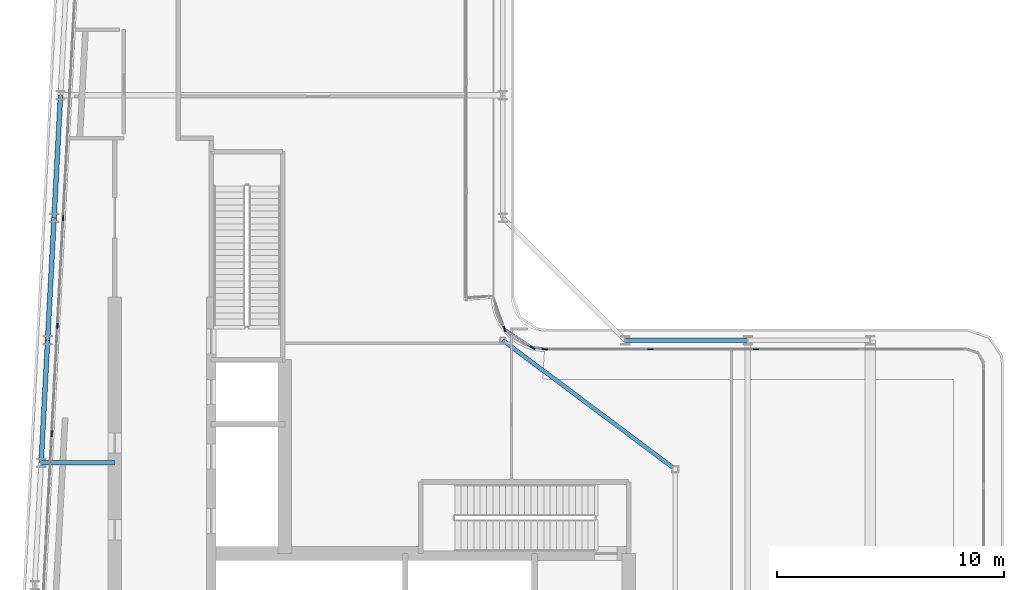
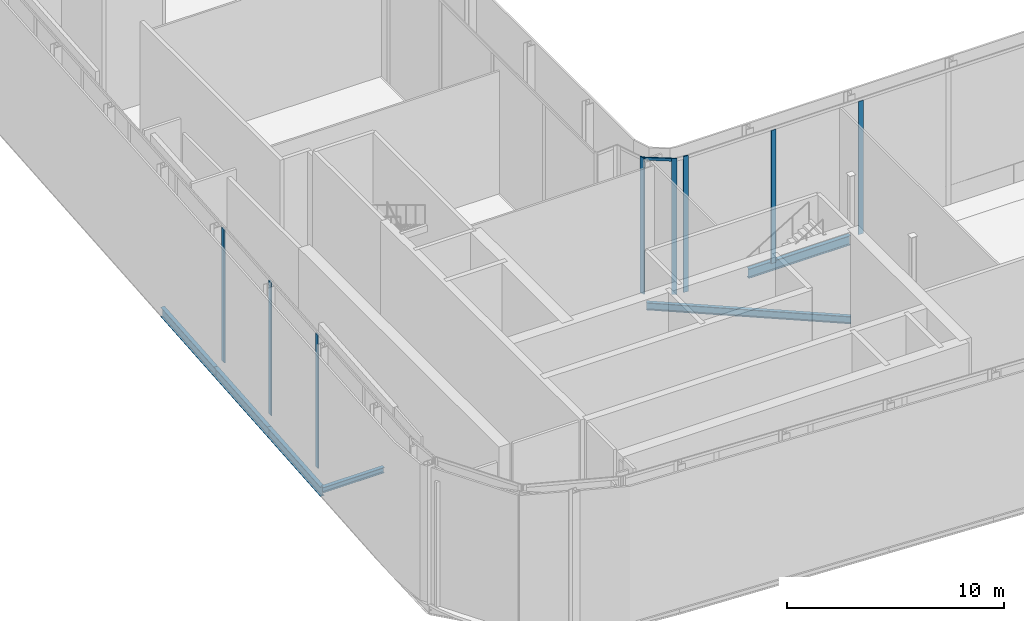
# One storey, part 7 of 28: 9 members, 6 beams, 5 elements without a shape of their own.
"""IFC4 building model written with IfcOpenShell, lengths in metres."""

from ifc_helpers import new_model, si_unit, direction, frame, origin, origin_2d, place, context, subcontext, project, spatial, rectangle, i_section, extrude, material, layer, layer_set, material_profile, profile_set, type_object, element, aggregate, save


model = new_model("IFC4")

# Units and contexts
model_context = context("Model", 3, precision=1e-05, world=origin(), true_north=direction((0.0, 1.0)))
body_context = subcontext(model_context, "Body", "Model", "MODEL_VIEW")
ifc_project = project(units=[si_unit("LENGTHUNIT", "METRE"), si_unit("AREAUNIT", "SQUARE_METRE"), si_unit("VOLUMEUNIT", "CUBIC_METRE"), si_unit("PLANEANGLEUNIT", "RADIAN"), si_unit("MASSUNIT", "GRAM", prefix="KILO")], contexts=[model_context])

# Site, building, storey
site_placement = place(None, origin())
site = spatial("IfcSite", under=ifc_project, at=site_placement, CompositionType="ELEMENT")
building_placement = place(site_placement, origin())
building = spatial("IfcBuilding", under=site, at=building_placement, Name="Kheshtan School and Residences Tower", CompositionType="ELEMENT")
storey_placement = place(building_placement, frame((0.0, 0.0, 325.39990234375)))
storey = spatial("IfcBuildingStorey", under=building, at=storey_placement, Name="L77", CompositionType="ELEMENT", Elevation=325.39990234375)

# Beams
ifc_material_1 = material(Name="Steel ASTM A992 Grade 50", Category="steel")
ifc_material_profile_1 = material_profile(ifc_material_1, i_section(OverallWidth=0.202880859375, OverallDepth=0.302978515625, WebThickness=0.007568359375, FlangeThickness=0.01318359375, FilletRadius=0.009033203125, at=origin_2d()), Name="W310x60")
ifc_profile_set_1 = profile_set([ifc_material_profile_1], Name="Steel ASTM A992 Grade 50")
beam_type_1 = type_object("IfcBeamType", Name="Beam FB1 W310x60 ASTM A992 Grade 50", PredefinedType="BEAM", material=ifc_profile_set_1)
beam_1_placement = place(storey_placement, frame((27.2529296875, 40.199951171875, -0.301513671875), z_axis=(1.0, 0.0, 0.0), x_axis=(0.0, 1.0, 0.0)))
element("IfcBeam", 1, at=beam_1_placement, inside=storey, type_object=beam_type_1, Name="Floor beam C056", PredefinedType="BEAM", context=body_context, shape_type="SweptSolid", body=[
    extrude(i_section(OverallWidth=0.202880859375, OverallDepth=0.302978515625, WebThickness=0.007568359375, FlangeThickness=0.01318359375, FilletRadius=0.009033203125, at=origin_2d()), origin(), (0.0, 0.0, 1.0), 3.2470703125),
])
ifc_material_profile_2 = material_profile(ifc_material_1, i_section(OverallWidth=0.180908203125, OverallDepth=0.4169921875, WebThickness=0.010986328125, FlangeThickness=0.018310546875, FilletRadius=0.012451171875, at=origin_2d()), Name="W410x85")
ifc_profile_set_2 = profile_set([ifc_material_profile_2], Name="Steel ASTM A992 Grade 50")
beam_type_2 = type_object("IfcBeamType", Name="Beam FB3 W410x85 ASTM A992 Grade 50", PredefinedType="BEAM", material=ifc_profile_set_2)
beam_2_placement = place(storey_placement, frame((47.60009765625, 45.60009765625, -0.3583984375), z_axis=(0.800798828004, -0.598933416222, 0.0), x_axis=(0.598933416222, 0.800798828004, 0.0)))
element("IfcBeam", 2, at=beam_2_placement, inside=storey, type_object=beam_type_2, Name="Floor beam IC", PredefinedType="BEAM", context=body_context, shape_type="SweptSolid", body=[
    extrude(i_section(OverallWidth=0.180908203125, OverallDepth=0.4169921875, WebThickness=0.010986328125, FlangeThickness=0.018310546875, FilletRadius=0.012451171875, at=origin_2d()), origin(), (0.0, 0.0, 1.0), 9.490234375),
])
ifc_material_profile_3 = material_profile(ifc_material_1, i_section(OverallWidth=0.208984375, OverallDepth=0.532958984375, WebThickness=0.01025390625, FlangeThickness=0.015625, FilletRadius=0.013916015625, at=origin_2d()), Name="W530x92")
ifc_profile_set_3 = profile_set([ifc_material_profile_3], Name="Steel ASTM A992 Grade 50")
beam_type_3 = type_object("IfcBeamType", Name="Beam SP3 W530x92 ASTM A992 Grade 50", PredefinedType="BEAM", material=ifc_profile_set_3)
beam_3_placement = place(storey_placement, frame((53.0, 45.60009765625, -0.41650390625), z_axis=(1.0, 0.0, 0.0), x_axis=(0.0, 1.0, 0.0)))
element("IfcBeam", 3, at=beam_3_placement, inside=storey, type_object=beam_type_3, Name="Spandrel beam C061-C062", PredefinedType="BEAM", context=body_context, shape_type="SweptSolid", body=[
    extrude(i_section(OverallWidth=0.208984375, OverallDepth=0.532958984375, WebThickness=0.01025390625, FlangeThickness=0.015625, FilletRadius=0.013916015625, at=origin_2d()), origin(), (0.0, 0.0, 1.0), 5.39990234375),
])
beam_4_placement = place(storey_placement, frame((27.2529296875, 40.199951171875, -0.41650390625), z_axis=(0.052551724256, 0.998618203458, 0.0), x_axis=(-0.998618203458, 0.052551724256, 0.0)))
element("IfcBeam", 4, at=beam_4_placement, inside=storey, type_object=beam_type_3, Name="Spandrel beam C056-C059", PredefinedType="BEAM", context=body_context, shape_type="SweptSolid", body=[
    extrude(i_section(OverallWidth=0.208984375, OverallDepth=0.532958984375, WebThickness=0.01025390625, FlangeThickness=0.015625, FilletRadius=0.013916015625, at=origin_2d()), origin(), (0.0, 0.0, 1.0), 5.40771484375),
])
for number, where, z_axis, x_axis, name in (
    (5, (27.537109375, 45.60009765625, -0.41650390625), (0.052689166816, 0.998610961136, 0.0), (-0.998610961136, 0.052689166816, 0.0), "Spandrel beam C059-C078"),
    (6, (27.822021484375, 51.0, -0.41650390625), (0.05250906864, 0.998620447272, 0.0), (-0.998620447272, 0.05250906864, 0.0), "Spandrel beam C078-C080"),
):
    element("IfcBeam", number, at=place(storey_placement, frame(where, z_axis=z_axis, x_axis=x_axis)), inside=storey, type_object=beam_type_3, Name=name, PredefinedType="BEAM", context=body_context, shape_type="SweptSolid", body=[
        extrude(i_section(OverallWidth=0.208984375, OverallDepth=0.532958984375, WebThickness=0.01025390625, FlangeThickness=0.015625, FilletRadius=0.013916015625, at=origin_2d()), origin(), (0.0, 0.0, 1.0), 5.407470703125),
    ])

# Curtain wall, members
ifc_material_2 = material(Name="Clear low-e glass in thermally broken aluminium frame", Category="aluminium")
ifc_layer = layer(ifc_material_2, 0.25)
ifc_layer_set = layer_set([ifc_layer], Name="Curtain wall CW-K")
curtain_wall_type = type_object("IfcCurtainWallType", Name="Curtain wall CW-K", PredefinedType="NOTDEFINED", material=ifc_layer_set)
curtain_wall_1_placement = place(storey_placement, origin())
curtain_wall_1 = element("IfcCurtainWall", 7, at=curtain_wall_1_placement, inside=storey, type_object=curtain_wall_type, Name="Curtain wall CWK6b", PredefinedType="NOTDEFINED")
ifc_material_3 = material(Name="Thermally broken aluminium, dark bronze anodised", Category="aluminium")
ifc_material_profile_4 = material_profile(ifc_material_3, rectangle(XDim=0.06005859375, YDim=0.25, at=origin_2d()), Name="CW-K mullion 60x250")
ifc_profile_set_4 = profile_set([ifc_material_profile_4], Name="Thermally broken aluminium, dark bronze anodised")
member_type_1 = type_object("IfcMemberType", Name="CW-K mullion 60x250", PredefinedType="MULLION", material=ifc_profile_set_4)
member_1_placement = place(storey_placement, frame((27.720458984375, 41.48046875, 0.0), z_axis=(0.0, 0.0, 1.0), x_axis=(-0.998617497599, 0.05256513568, 0.0)))
member_1 = element("IfcMember", 8, at=member_1_placement, type_object=member_type_1, Name="CWK6b mullion 3", PredefinedType="MULLION", context=body_context, shape_type="SweptSolid", body=[
    extrude(rectangle(XDim=0.06005859375, YDim=0.25, at=origin_2d()), origin(), (0.0, 0.0, 1.0), 7.489990234375),
])
member_2_placement = place(storey_placement, frame((27.970458984375, 46.232666015625, 0.0), z_axis=(0.0, 0.0, 1.0), x_axis=(-0.998617497599, 0.05256513568, 0.0)))
member_2 = element("IfcMember", 9, at=member_2_placement, type_object=member_type_1, Name="CWK6b mullion 4", PredefinedType="MULLION", context=body_context, shape_type="SweptSolid", body=[
    extrude(rectangle(XDim=0.06005859375, YDim=0.25, at=origin_2d()), origin(), (0.0, 0.0, 1.0), 7.489990234375),
])
member_3_placement = place(storey_placement, frame((28.220703125, 50.98486328125, 0.0), z_axis=(0.0, 0.0, 1.0), x_axis=(-0.998617497599, 0.05256513568, 0.0)))
member_3 = element("IfcMember", 10, at=member_3_placement, type_object=member_type_1, Name="CWK6b mullion 5", PredefinedType="MULLION", context=body_context, shape_type="SweptSolid", body=[
    extrude(rectangle(XDim=0.06005859375, YDim=0.25, at=origin_2d()), origin(), (0.0, 0.0, 1.0), 7.489990234375),
])
aggregate(curtain_wall_1, [member_1, member_2, member_3])

# Curtain wall, member
curtain_wall_2_placement = place(storey_placement, origin())
curtain_wall_2 = element("IfcCurtainWall", 11, at=curtain_wall_2_placement, inside=storey, type_object=curtain_wall_type, Name="Curtain wall CWK17b", PredefinedType="NOTDEFINED")
member_4_placement = place(storey_placement, frame((47.678466796875, 46.100341796875, 0.0), z_axis=(0.0, 0.0, 1.0), x_axis=(0.943511360053, 0.331340177841, 0.0)))
member_4 = element("IfcMember", 12, at=member_4_placement, type_object=member_type_1, Name="CWK17b mullion 2", PredefinedType="MULLION", context=body_context, shape_type="SweptSolid", body=[
    extrude(rectangle(XDim=0.06005859375, YDim=0.25, at=origin_2d()), origin(), (0.0, 0.0, 1.0), 7.650146484375),
])
aggregate(curtain_wall_2, [member_4])

curtain_wall_3_placement = place(storey_placement, origin())
curtain_wall_3 = element("IfcCurtainWall", 13, at=curtain_wall_3_placement, inside=storey, type_object=curtain_wall_type, Name="Curtain wall CWK18b", PredefinedType="NOTDEFINED")
member_5_placement = place(storey_placement, frame((48.90966796875, 45.27978515625, 0.0), z_axis=(0.0, 0.0, 1.0), x_axis=(0.555744859586, 0.831352904033, 0.0)))
member_5 = element("IfcMember", 14, at=member_5_placement, type_object=member_type_1, Name="CWK18b mullion 2", PredefinedType="MULLION", context=body_context, shape_type="SweptSolid", body=[
    extrude(rectangle(XDim=0.06005859375, YDim=0.25, at=origin_2d()), origin(), (0.0, 0.0, 1.0), 7.650146484375),
])

curtain_wall_4_placement = place(storey_placement, origin())
curtain_wall_4 = element("IfcCurtainWall", 15, at=curtain_wall_4_placement, inside=storey, type_object=curtain_wall_type, Name="Curtain wall CWK19a", PredefinedType="NOTDEFINED")
member_6_placement = place(storey_placement, frame((49.45263671875, 45.203125, 0.0), z_axis=(0.0, 0.0, 1.0), x_axis=(0.134363672971, 0.99093208818, 0.0)))
member_6 = element("IfcMember", 16, at=member_6_placement, type_object=member_type_1, Name="CWK19a mullion 2", PredefinedType="MULLION", context=body_context, shape_type="SweptSolid", body=[
    extrude(rectangle(XDim=0.06005859375, YDim=0.25, at=origin_2d()), origin(), (0.0, 0.0, 1.0), 7.650146484375),
])
aggregate(curtain_wall_4, [member_6])

# Curtain wall, members
curtain_wall_5_placement = place(storey_placement, origin())
curtain_wall_5 = element("IfcCurtainWall", 17, at=curtain_wall_5_placement, inside=storey, type_object=curtain_wall_type, Name="Curtain wall CWK20b", PredefinedType="NOTDEFINED")
member_7_placement = place(storey_placement, frame((54.119140625, 45.199951171875, 0.0), z_axis=(0.0, 0.0, 1.0), x_axis=(0.0, 1.0, 0.0)))
member_7 = element("IfcMember", 18, at=member_7_placement, type_object=member_type_1, Name="CWK20b mullion 2", PredefinedType="MULLION", context=body_context, shape_type="SweptSolid", body=[
    extrude(rectangle(XDim=0.06005859375, YDim=0.25, at=origin_2d()), origin(), (0.0, 0.0, 1.0), 7.489990234375),
])
member_8_placement = place(storey_placement, frame((58.76953125, 45.199951171875, 0.0), z_axis=(0.0, 0.0, 1.0), x_axis=(0.0, 1.0, 0.0)))
member_8 = element("IfcMember", 19, at=member_8_placement, type_object=member_type_1, Name="CWK20b mullion 3", PredefinedType="MULLION", context=body_context, shape_type="SweptSolid", body=[
    extrude(rectangle(XDim=0.06005859375, YDim=0.25, at=origin_2d()), origin(), (0.0, 0.0, 1.0), 7.489990234375),
])
aggregate(curtain_wall_5, [member_7, member_8])

# Member
ifc_material_profile_5 = material_profile(ifc_material_3, rectangle(XDim=0.06005859375, YDim=0.159912109375, at=origin_2d()), Name="CW-K transom 60x160")
ifc_profile_set_5 = profile_set([ifc_material_profile_5], Name="Thermally broken aluminium, dark bronze anodised")
member_type_2 = type_object("IfcMemberType", Name="CW-K transom 60x160", PredefinedType="USERDEFINED", material=ifc_profile_set_5)
member_9_placement = place(storey_placement, frame((47.70458984375, 46.08544921875, 7.570068359375), z_axis=(0.831308753347, -0.555810900045, 0.0), x_axis=(0.555810900045, 0.831308753347, 0.0)))
member_9 = element("IfcMember", 20, at=member_9_placement, type_object=member_type_2, Name="CWK18b transom 1", ObjectType="TRANSOM", PredefinedType="USERDEFINED", context=body_context, shape_type="SweptSolid", body=[
    extrude(rectangle(XDim=0.06005859375, YDim=0.159912109375, at=origin_2d()), origin(), (0.0, 0.0, 1.0), 1.419677734375),
])

aggregate(curtain_wall_3, [member_5, member_9])

save(model, "model.ifc")
